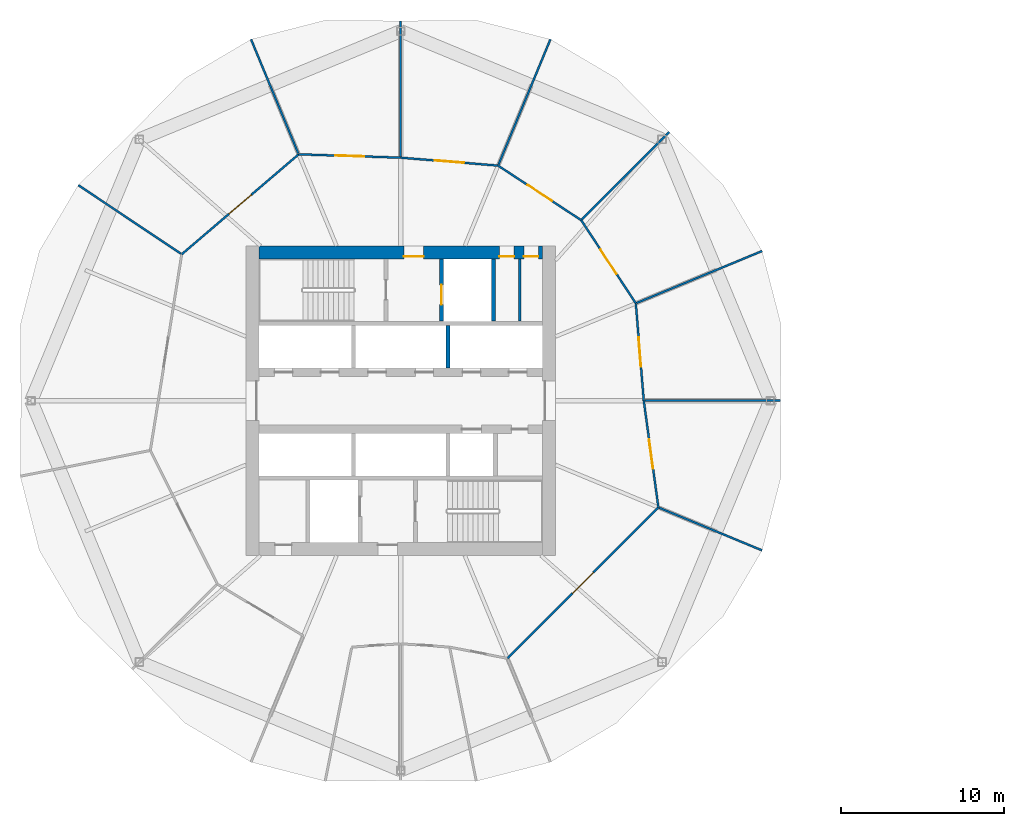
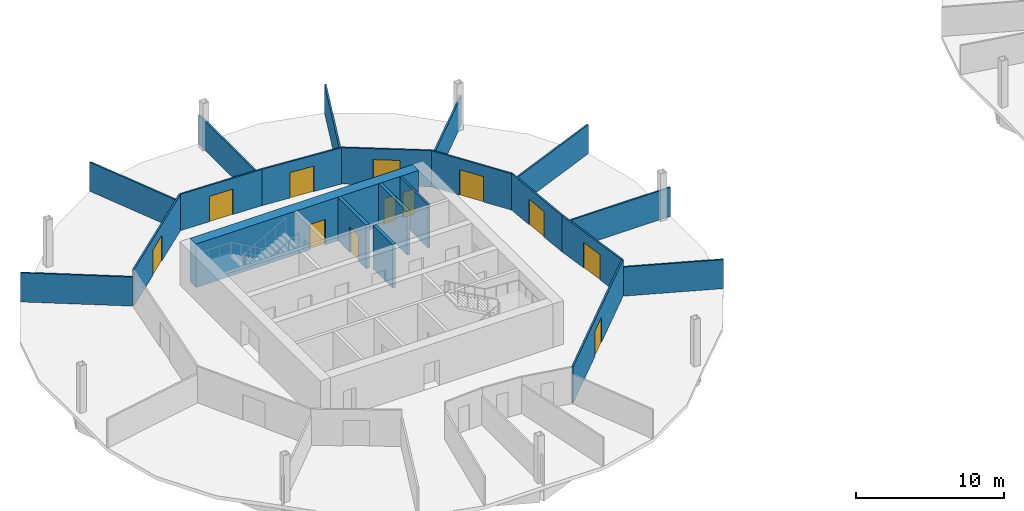
# One storey, part 5 of 9: 21 walls, 12 doors, 12 openings.
"""IFC4 building model written with IfcOpenShell, lengths in metres."""

from ifc_helpers import new_model, si_unit, direction, frame, frame_2d, origin, place, context, subcontext, project, spatial, rectangle, extrude, material, layer, layer_set, type_object, element, fill, save


model = new_model("IFC4")

# Units and contexts
model_context = context("Model", 3, precision=1e-05, world=origin(), true_north=direction((0.0, 1.0)))
body_context = subcontext(model_context, "Body", "Model", "MODEL_VIEW")
ifc_project = project(units=[si_unit("LENGTHUNIT", "METRE"), si_unit("AREAUNIT", "SQUARE_METRE"), si_unit("VOLUMEUNIT", "CUBIC_METRE"), si_unit("PLANEANGLEUNIT", "RADIAN"), si_unit("MASSUNIT", "GRAM", prefix="KILO")], contexts=[model_context])

# Site, building, storey
site_placement = place(None, origin())
site = spatial("IfcSite", under=ifc_project, at=site_placement, CompositionType="ELEMENT")
building_placement = place(site_placement, origin())
building = spatial("IfcBuilding", under=site, at=building_placement, Name="Ogive Gate Towers", CompositionType="ELEMENT")
storey_placement = place(building_placement, frame((0.0, 0.0, 84.0)))
storey = spatial("IfcBuildingStorey", under=building, at=storey_placement, Name="L19", CompositionType="ELEMENT", Elevation=84.0)

# Wall, openings, doors
ifc_material_1 = material(Name="Concrete C60/75", Category="concrete")
ifc_layer_1 = layer(ifc_material_1, 0.800048828125)
ifc_layer_set_1 = layer_set([ifc_layer_1], Name="Core wall 800 mm")
wall_type_1 = type_object("IfcWallType", Name="Core wall 800 mm", PredefinedType="SHEAR", material=ifc_layer_set_1)
wall_1_placement = place(storey_placement, frame((-44.699951171875, 9.10009765625, 0.0), z_axis=(0.0, 0.0, 1.0), x_axis=(1.0, 0.0, 0.0)))
wall_1 = element("IfcWall", 1, at=wall_1_placement, inside=storey, type_object=wall_type_1, Name="T1 L19 Core wall 800 mm", PredefinedType="SHEAR", context=body_context, shape_type="SweptSolid", body=[
    extrude(rectangle(XDim=17.39990234375, YDim=0.800048828125, at=frame_2d((8.699951171875, 0.0))), origin(), (0.0, 0.0, 1.0), 3.60009765625),
])
opening_1_placement = place(wall_1_placement, frame((8.89990234375, 0.0, 0.0)))
opening_1 = element("IfcOpeningElement", 2, at=opening_1_placement, cuts=wall_1, Name="Opening KD-T1-L19-15", PredefinedType="OPENING", context=body_context, shape_type="SweptSolid", body=[
    extrude(rectangle(XDim=1.199951171875, YDim=2.10009765625, at=frame_2d((0.60009765625, 1.050048828125))), frame((0.0, 0.41015625, 0.0), z_axis=(0.0, -1.0, 0.0), x_axis=(1.0, 0.0, 0.0)), (0.0, 0.0, 1.0), 0.820068359375),
])
opening_2_placement = place(wall_1_placement, frame((14.75, 0.0, 0.0)))
opening_2 = element("IfcOpeningElement", 3, at=opening_2_placement, cuts=wall_1, Name="Opening KD-T1-L19-17", PredefinedType="OPENING", context=body_context, shape_type="SweptSolid", body=[
    extrude(rectangle(XDim=0.89990234375, YDim=2.10009765625, at=frame_2d((0.449951171875, 1.050048828125))), frame((0.0, 0.41015625, 0.0), z_axis=(0.0, -1.0, 0.0), x_axis=(1.0, 0.0, 0.0)), (0.0, 0.0, 1.0), 0.820068359375),
])
opening_3_placement = place(wall_1_placement, frame((16.25, 0.0, 0.0)))
opening_3 = element("IfcOpeningElement", 4, at=opening_3_placement, cuts=wall_1, Name="Opening KD-T1-L19-18", PredefinedType="OPENING", context=body_context, shape_type="SweptSolid", body=[
    extrude(rectangle(XDim=0.89990234375, YDim=2.10009765625, at=frame_2d((0.449951171875, 1.050048828125))), frame((0.0, 0.41015625, 0.0), z_axis=(0.0, -1.0, 0.0), x_axis=(1.0, 0.0, 0.0)), (0.0, 0.0, 1.0), 0.820068359375),
])
ifc_material_2 = material(Name="Timber door", Category="wood")
door_type_1 = type_object("IfcDoorType", Name="Core WC door 900 x 2100", OperationType="NOTDEFINED", PredefinedType="DOOR", material=ifc_material_2)
door_1_placement = place(opening_2_placement, origin())
door_1 = element("IfcDoor", 5, at=door_1_placement, inside=storey, type_object=door_type_1, Name="T1 L19 Core door", OperationType="SINGLE_SWING_RIGHT", OverallHeight=2.10009765625, OverallWidth=0.89990234375, PredefinedType="DOOR", context=body_context, shape_type="SweptSolid", body=[
    extrude(rectangle(XDim=0.89990234375, YDim=2.10009765625, at=frame_2d((0.449951171875, 1.050048828125))), frame((0.0, -0.22509765625, 0.0), z_axis=(0.0, -1.0, 0.0), x_axis=(1.0, 0.0, 0.0)), (0.0, 0.0, 1.0), 0.050048828125),
])
fill(opening_2, door_1)
door_2_placement = place(opening_3_placement, origin())
door_2 = element("IfcDoor", 6, at=door_2_placement, inside=storey, type_object=door_type_1, Name="T1 L19 Core door", OperationType="SINGLE_SWING_LEFT", OverallHeight=2.10009765625, OverallWidth=0.89990234375, PredefinedType="DOOR", context=body_context, shape_type="SweptSolid", body=[
    extrude(rectangle(XDim=0.89990234375, YDim=2.10009765625, at=frame_2d((0.449951171875, 1.050048828125))), frame((0.0, -0.22509765625, 0.0), z_axis=(0.0, -1.0, 0.0), x_axis=(1.0, 0.0, 0.0)), (0.0, 0.0, 1.0), 0.050048828125),
])
fill(opening_3, door_2)
ifc_material_3 = material(Name="Steel fire door", Category="steel")
door_type_2 = type_object("IfcDoorType", Name="Core door FD60S 1200 x 2100", OperationType="NOTDEFINED", PredefinedType="DOOR", material=ifc_material_3)
door_3_placement = place(opening_1_placement, origin())
door_3 = element("IfcDoor", 7, at=door_3_placement, inside=storey, type_object=door_type_2, Name="T1 L19 Fire-fighting lobby door", OperationType="SINGLE_SWING_RIGHT", OverallHeight=2.10009765625, OverallWidth=1.199951171875, PredefinedType="DOOR", context=body_context, shape_type="SweptSolid", body=[
    extrude(rectangle(XDim=1.199951171875, YDim=2.10009765625, at=frame_2d((0.60009765625, 1.050048828125))), frame((0.0, -0.22509765625, 0.0), z_axis=(0.0, -1.0, 0.0), x_axis=(1.0, 0.0, 0.0)), (0.0, 0.0, 1.0), 0.050048828125),
])
fill(opening_1, door_3)

# Walls
ifc_material_4 = material(Name="Gypsum board partition")
ifc_layer_2 = layer(ifc_material_4, 0.125)
ifc_layer_set_2 = layer_set([ifc_layer_2], Name="Partition 125")
wall_type_2 = type_object("IfcWallType", Name="Partition 125", PredefinedType="PARTITIONING", material=ifc_layer_set_2)
wall_2_placement = place(storey_placement, frame((-12.700927734375, 0.0, 0.0), z_axis=(0.0, 0.0, 1.0), x_axis=(-1.0, 0.0, 0.0)))
element("IfcWall", 8, at=wall_2_placement, inside=storey, type_object=wall_type_2, Name="Partition T1-L19-001", PredefinedType="PARTITIONING", context=body_context, shape_type="SweptSolid", body=[
    extrude(rectangle(XDim=8.32666015625, YDim=0.125, at=frame_2d((4.163330078125, 0.0))), origin(), (0.0, 0.0, 1.0), 2.39990234375),
])
wall_3_placement = place(storey_placement, frame((-13.826904296875, 9.184326171875, 0.0), z_axis=(0.0, 0.0, 1.0), x_axis=(-0.92388425068, -0.3826720415, 0.0)))
element("IfcWall", 9, at=wall_3_placement, inside=storey, type_object=wall_type_2, Name="Partition T1-L19-002", PredefinedType="PARTITIONING", context=body_context, shape_type="SweptSolid", body=[
    extrude(rectangle(XDim=8.326416015625, YDim=0.125, at=frame_2d((4.1630859375, 0.0))), origin(), (0.0, 0.0, 1.0), 2.39990234375),
])
wall_4_placement = place(storey_placement, frame((-19.525146484375, 16.474853515625, 0.0), z_axis=(0.0, 0.0, 1.0), x_axis=(-0.707106781187, -0.707106781187, 0.0)))
element("IfcWall", 10, at=wall_4_placement, inside=storey, type_object=wall_type_2, Name="Partition T1-L19-003", PredefinedType="PARTITIONING", context=body_context, shape_type="SweptSolid", body=[
    extrude(rectangle(XDim=7.57666015625, YDim=0.125, at=frame_2d((3.788330078125, 0.0))), origin(), (0.0, 0.0, 1.0), 2.39990234375),
])
wall_5_placement = place(storey_placement, frame((-26.815673828125, 22.173095703125, 0.0), z_axis=(0.0, 0.0, 1.0), x_axis=(-0.3826720415, -0.92388425068, 0.0)))
element("IfcWall", 11, at=wall_5_placement, inside=storey, type_object=wall_type_2, Name="Partition T1-L19-004", PredefinedType="PARTITIONING", context=body_context, shape_type="SweptSolid", body=[
    extrude(rectangle(XDim=8.326416015625, YDim=0.125, at=frame_2d((4.1630859375, 0.0))), origin(), (0.0, 0.0, 1.0), 2.39990234375),
])
wall_6_placement = place(storey_placement, frame((-36.0, 23.299072265625, 0.0), z_axis=(0.0, 0.0, 1.0), x_axis=(0.0, -1.0, 0.0)))
element("IfcWall", 12, at=wall_6_placement, inside=storey, type_object=wall_type_2, Name="Partition T1-L19-005", PredefinedType="PARTITIONING", context=body_context, shape_type="SweptSolid", body=[
    extrude(rectangle(XDim=8.32666015625, YDim=0.125, at=frame_2d((4.163330078125, 0.0))), origin(), (0.0, 0.0, 1.0), 2.39990234375),
])
for number, where, z_axis, x_axis, name in (
    (13, (-45.184326171875, 22.173095703125, 0.0), (0.0, 0.0, 1.0), (0.382685713945, -0.923878587447, 0.0), "Partition T1-L19-006"),
    (14, (-55.784423828125, 13.228515625, 0.0), (0.0, 0.0, 1.0), (0.831300960788, -0.555822554951, 0.0), "Partition T1-L19-007"),
):
    element("IfcWall", number, at=place(storey_placement, frame(where, z_axis=z_axis, x_axis=x_axis)), inside=storey, type_object=wall_type_2, Name=name, PredefinedType="PARTITIONING", context=body_context, shape_type="SweptSolid", body=[
        extrude(rectangle(XDim=7.576416015625, YDim=0.125, at=frame_2d((3.7880859375, 0.0))), origin(), (0.0, 0.0, 1.0), 2.39990234375),
    ])
wall_7_placement = place(storey_placement, frame((-13.826904296875, -9.184326171875, 0.0), z_axis=(0.0, 0.0, 1.0), x_axis=(-0.923884324115, 0.382671864206, 0.0)))
element("IfcWall", 15, at=wall_7_placement, inside=storey, type_object=wall_type_2, Name="Partition T1-L19-015", PredefinedType="PARTITIONING", context=body_context, shape_type="SweptSolid", body=[
    extrude(rectangle(XDim=6.826416015625, YDim=0.125, at=frame_2d((3.4130859375, 0.0))), origin(), (0.0, 0.0, 1.0), 2.39990234375),
])

# Wall, opening, door
wall_8_placement = place(storey_placement, frame((-29.451904296875, -15.80859375, 0.0), z_axis=(0.0, 0.0, 1.0), x_axis=(0.707106781187, 0.707106781187, 0.0)))
wall_8 = element("IfcWall", 16, at=wall_8_placement, inside=storey, type_object=wall_type_2, Name="Partition T1-L19-019", PredefinedType="PARTITIONING", context=body_context, shape_type="SweptSolid", body=[
    extrude(rectangle(XDim=13.096435546875, YDim=0.125, at=frame_2d((6.54833984375, 0.0))), origin(), (0.0, 0.0, 1.0), 3.0),
])
opening_4_placement = place(wall_8_placement, frame((5.64794921875, 0.0, 0.0)))
opening_4 = element("IfcOpeningElement", 17, at=opening_4_placement, cuts=wall_8, Name="Opening T1-L19-D04", PredefinedType="OPENING", context=body_context, shape_type="SweptSolid", body=[
    extrude(rectangle(XDim=1.800048828125, YDim=2.10009765625, at=frame_2d((0.89990234375, 1.050048828125))), frame((0.0, 0.072509765625, 0.0), z_axis=(0.0, -1.0, 0.0), x_axis=(1.0, 0.0, 0.0)), (0.0, 0.0, 1.0), 0.14501953125),
])
door_type_3 = type_object("IfcDoorType", Name="Door pair 1800", OperationType="NOTDEFINED", PredefinedType="DOOR", material=ifc_material_2)
door_4_placement = place(opening_4_placement, origin())
door_4 = element("IfcDoor", 18, at=door_4_placement, inside=storey, type_object=door_type_3, Name="Door T1-L19-D04", OperationType="DOUBLE_DOOR_DOUBLE_SWING", OverallHeight=2.10009765625, OverallWidth=1.800048828125, PredefinedType="DOOR", context=body_context, shape_type="SweptSolid", body=[
    extrude(rectangle(XDim=1.800048828125, YDim=2.10009765625, at=frame_2d((0.89990234375, 1.050048828125))), frame((0.0, 0.02490234375, 0.0), z_axis=(0.0, -1.0, 0.0), x_axis=(1.0, 0.0, 0.0)), (0.0, 0.0, 1.0), 0.050048828125),
])
fill(opening_4, door_4)

wall_9_placement = place(storey_placement, frame((-20.19140625, -6.548095703125, 0.0), z_axis=(0.0, 0.0, 1.0), x_axis=(-0.135968646616, 0.990713140691, 0.0)))
wall_9 = element("IfcWall", 19, at=wall_9_placement, inside=storey, type_object=wall_type_2, Name="Partition T1-L19-020", PredefinedType="PARTITIONING", context=body_context, shape_type="SweptSolid", body=[
    extrude(rectangle(XDim=6.609375, YDim=0.125, at=frame_2d((3.3046875, 0.0))), origin(), (0.0, 0.0, 1.0), 3.0),
])
opening_5_placement = place(wall_9_placement, frame((2.405029296875, 0.0, 0.0)))
opening_5 = element("IfcOpeningElement", 20, at=opening_5_placement, cuts=wall_9, Name="Opening T1-L19-D05", PredefinedType="OPENING", context=body_context, shape_type="SweptSolid", body=[
    extrude(rectangle(XDim=1.800048828125, YDim=2.10009765625, at=frame_2d((0.89990234375, 1.050048828125))), frame((0.0, 0.072509765625, 0.0), z_axis=(0.0, -1.0, 0.0), x_axis=(1.0, 0.0, 0.0)), (0.0, 0.0, 1.0), 0.14501953125),
])
door_5_placement = place(opening_5_placement, origin())
door_5 = element("IfcDoor", 21, at=door_5_placement, inside=storey, type_object=door_type_3, Name="Door T1-L19-D05", OperationType="DOUBLE_DOOR_DOUBLE_SWING", OverallHeight=2.10009765625, OverallWidth=1.800048828125, PredefinedType="DOOR", context=body_context, shape_type="SweptSolid", body=[
    extrude(rectangle(XDim=1.800048828125, YDim=2.10009765625, at=frame_2d((0.89990234375, 1.050048828125))), frame((0.0, 0.02490234375, 0.0), z_axis=(0.0, -1.0, 0.0), x_axis=(1.0, 0.0, 0.0)), (0.0, 0.0, 1.0), 0.050048828125),
])
fill(opening_5, door_5)

wall_10_placement = place(storey_placement, frame((-21.090087890625, 0.0, 0.0), z_axis=(0.0, 0.0, 1.0), x_axis=(-0.081299252747, 0.99668973683, 0.0)))
wall_10 = element("IfcWall", 22, at=wall_10_placement, inside=storey, type_object=wall_type_2, Name="Partition T1-L19-021", PredefinedType="PARTITIONING", context=body_context, shape_type="SweptSolid", body=[
    extrude(rectangle(XDim=5.993896484375, YDim=0.125, at=frame_2d((2.9970703125, 0.0))), origin(), (0.0, 0.0, 1.0), 3.0),
])
opening_6_placement = place(wall_10_placement, frame((2.096923828125, 0.0, 0.0)))
opening_6 = element("IfcOpeningElement", 23, at=opening_6_placement, cuts=wall_10, Name="Opening T1-L19-D06", PredefinedType="OPENING", context=body_context, shape_type="SweptSolid", body=[
    extrude(rectangle(XDim=1.800048828125, YDim=2.10009765625, at=frame_2d((0.89990234375, 1.050048828125))), frame((0.0, 0.072509765625, 0.0), z_axis=(0.0, -1.0, 0.0), x_axis=(1.0, 0.0, 0.0)), (0.0, 0.0, 1.0), 0.14501953125),
])
door_6_placement = place(opening_6_placement, origin())
door_6 = element("IfcDoor", 24, at=door_6_placement, inside=storey, type_object=door_type_3, Name="Door T1-L19-D06", OperationType="DOUBLE_DOOR_DOUBLE_SWING", OverallHeight=2.10009765625, OverallWidth=1.800048828125, PredefinedType="DOOR", context=body_context, shape_type="SweptSolid", body=[
    extrude(rectangle(XDim=1.800048828125, YDim=2.10009765625, at=frame_2d((0.89990234375, 1.050048828125))), frame((0.0, 0.02490234375, 0.0), z_axis=(0.0, -1.0, 0.0), x_axis=(1.0, 0.0, 0.0)), (0.0, 0.0, 1.0), 0.050048828125),
])
fill(opening_6, door_6)

wall_11_placement = place(storey_placement, frame((-21.577392578125, 5.97412109375, 0.0), z_axis=(0.0, 0.0, 1.0), x_axis=(-0.549007787117, 0.835817234618, 0.0)))
wall_11 = element("IfcWall", 25, at=wall_11_placement, inside=storey, type_object=wall_type_2, Name="Partition T1-L19-022", PredefinedType="PARTITIONING", context=body_context, shape_type="SweptSolid", body=[
    extrude(rectangle(XDim=6.100830078125, YDim=0.125, at=frame_2d((3.05029296875, 0.0))), origin(), (0.0, 0.0, 1.0), 3.0),
])
opening_7_placement = place(wall_11_placement, frame((2.14990234375, 0.0, 0.0)))
opening_7 = element("IfcOpeningElement", 26, at=opening_7_placement, cuts=wall_11, Name="Opening T1-L19-D07", PredefinedType="OPENING", context=body_context, shape_type="SweptSolid", body=[
    extrude(rectangle(XDim=1.800048828125, YDim=2.10009765625, at=frame_2d((0.89990234375, 1.050048828125))), frame((0.0, 0.072509765625, 0.0), z_axis=(0.0, -1.0, 0.0), x_axis=(1.0, 0.0, 0.0)), (0.0, 0.0, 1.0), 0.14501953125),
])
door_7_placement = place(opening_7_placement, origin())
door_7 = element("IfcDoor", 27, at=door_7_placement, inside=storey, type_object=door_type_3, Name="Door T1-L19-D07", OperationType="DOUBLE_DOOR_DOUBLE_SWING", OverallHeight=2.10009765625, OverallWidth=1.800048828125, PredefinedType="DOOR", context=body_context, shape_type="SweptSolid", body=[
    extrude(rectangle(XDim=1.800048828125, YDim=2.10009765625, at=frame_2d((0.89990234375, 1.050048828125))), frame((0.0, 0.02490234375, 0.0), z_axis=(0.0, -1.0, 0.0), x_axis=(1.0, 0.0, 0.0)), (0.0, 0.0, 1.0), 0.050048828125),
])
fill(opening_7, door_7)

wall_12_placement = place(storey_placement, frame((-24.9267578125, 11.0732421875, 0.0), z_axis=(0.0, 0.0, 1.0), x_axis=(-0.835817234618, 0.549007787117, 0.0)))
wall_12 = element("IfcWall", 28, at=wall_12_placement, inside=storey, type_object=wall_type_2, Name="Partition T1-L19-023", PredefinedType="PARTITIONING", context=body_context, shape_type="SweptSolid", body=[
    extrude(rectangle(XDim=6.100830078125, YDim=0.125, at=frame_2d((3.05029296875, 0.0))), origin(), (0.0, 0.0, 1.0), 3.0),
])
opening_8_placement = place(wall_12_placement, frame((2.14990234375, 0.0, 0.0)))
opening_8 = element("IfcOpeningElement", 29, at=opening_8_placement, cuts=wall_12, Name="Opening T1-L19-D08", PredefinedType="OPENING", context=body_context, shape_type="SweptSolid", body=[
    extrude(rectangle(XDim=1.800048828125, YDim=2.10009765625, at=frame_2d((0.89990234375, 1.050048828125))), frame((0.0, 0.072509765625, 0.0), z_axis=(0.0, -1.0, 0.0), x_axis=(1.0, 0.0, 0.0)), (0.0, 0.0, 1.0), 0.14501953125),
])
door_8_placement = place(opening_8_placement, origin())
door_8 = element("IfcDoor", 30, at=door_8_placement, inside=storey, type_object=door_type_3, Name="Door T1-L19-D08", OperationType="DOUBLE_DOOR_DOUBLE_SWING", OverallHeight=2.10009765625, OverallWidth=1.800048828125, PredefinedType="DOOR", context=body_context, shape_type="SweptSolid", body=[
    extrude(rectangle(XDim=1.800048828125, YDim=2.10009765625, at=frame_2d((0.89990234375, 1.050048828125))), frame((0.0, 0.02490234375, 0.0), z_axis=(0.0, -1.0, 0.0), x_axis=(1.0, 0.0, 0.0)), (0.0, 0.0, 1.0), 0.050048828125),
])
fill(opening_8, door_8)

wall_13_placement = place(storey_placement, frame((-30.02587890625, 14.422607421875, 0.0), z_axis=(0.0, 0.0, 1.0), x_axis=(-0.99668973683, 0.081299252747, 0.0)))
wall_13 = element("IfcWall", 31, at=wall_13_placement, inside=storey, type_object=wall_type_2, Name="Partition T1-L19-024", PredefinedType="PARTITIONING", context=body_context, shape_type="SweptSolid", body=[
    extrude(rectangle(XDim=5.993896484375, YDim=0.125, at=frame_2d((2.9970703125, 0.0))), origin(), (0.0, 0.0, 1.0), 3.0),
])
opening_9_placement = place(wall_13_placement, frame((2.096923828125, 0.0, 0.0)))
opening_9 = element("IfcOpeningElement", 32, at=opening_9_placement, cuts=wall_13, Name="Opening T1-L19-D09", PredefinedType="OPENING", context=body_context, shape_type="SweptSolid", body=[
    extrude(rectangle(XDim=1.800048828125, YDim=2.10009765625, at=frame_2d((0.89990234375, 1.050048828125))), frame((0.0, 0.072509765625, 0.0), z_axis=(0.0, -1.0, 0.0), x_axis=(1.0, 0.0, 0.0)), (0.0, 0.0, 1.0), 0.14501953125),
])
door_9_placement = place(opening_9_placement, origin())
door_9 = element("IfcDoor", 33, at=door_9_placement, inside=storey, type_object=door_type_3, Name="Door T1-L19-D09", OperationType="DOUBLE_DOOR_DOUBLE_SWING", OverallHeight=2.10009765625, OverallWidth=1.800048828125, PredefinedType="DOOR", context=body_context, shape_type="SweptSolid", body=[
    extrude(rectangle(XDim=1.800048828125, YDim=2.10009765625, at=frame_2d((0.89990234375, 1.050048828125))), frame((0.0, 0.02490234375, 0.0), z_axis=(0.0, -1.0, 0.0), x_axis=(1.0, 0.0, 0.0)), (0.0, 0.0, 1.0), 0.050048828125),
])
fill(opening_9, door_9)

wall_14_placement = place(storey_placement, frame((-36.0, 14.909912109375, 0.0), z_axis=(0.0, 0.0, 1.0), x_axis=(-0.999461435371, 0.032815228254, 0.0)))
wall_14 = element("IfcWall", 34, at=wall_14_placement, inside=storey, type_object=wall_type_2, Name="Partition T1-L19-025", PredefinedType="PARTITIONING", context=body_context, shape_type="SweptSolid", body=[
    extrude(rectangle(XDim=6.264404296875, YDim=0.125, at=frame_2d((3.13232421875, 0.0))), origin(), (0.0, 0.0, 1.0), 3.0),
])
opening_10_placement = place(wall_14_placement, frame((2.23193359375, 0.0, 0.0)))
opening_10 = element("IfcOpeningElement", 35, at=opening_10_placement, cuts=wall_14, Name="Opening T1-L19-D10", PredefinedType="OPENING", context=body_context, shape_type="SweptSolid", body=[
    extrude(rectangle(XDim=1.800048828125, YDim=2.10009765625, at=frame_2d((0.89990234375, 1.050048828125))), frame((0.0, 0.072509765625, 0.0), z_axis=(0.0, -1.0, 0.0), x_axis=(1.0, 0.0, 0.0)), (0.0, 0.0, 1.0), 0.14501953125),
])
door_10_placement = place(opening_10_placement, origin())
door_10 = element("IfcDoor", 36, at=door_10_placement, inside=storey, type_object=door_type_3, Name="Door T1-L19-D10", OperationType="DOUBLE_DOOR_DOUBLE_SWING", OverallHeight=2.10009765625, OverallWidth=1.800048828125, PredefinedType="DOOR", context=body_context, shape_type="SweptSolid", body=[
    extrude(rectangle(XDim=1.800048828125, YDim=2.10009765625, at=frame_2d((0.89990234375, 1.050048828125))), frame((0.0, 0.02490234375, 0.0), z_axis=(0.0, -1.0, 0.0), x_axis=(1.0, 0.0, 0.0)), (0.0, 0.0, 1.0), 0.050048828125),
])
fill(opening_10, door_10)

wall_15_placement = place(storey_placement, frame((-42.260986328125, 15.115478515625, 0.0), z_axis=(0.0, 0.0, 1.0), x_axis=(-0.760070439114, -0.649840694005, 0.0)))
wall_15 = element("IfcWall", 37, at=wall_15_placement, inside=storey, type_object=wall_type_2, Name="Partition T1-L19-026", PredefinedType="PARTITIONING", context=body_context, shape_type="SweptSolid", body=[
    extrude(rectangle(XDim=9.4375, YDim=0.125, at=frame_2d((4.71875, 0.0))), origin(), (0.0, 0.0, 1.0), 3.0),
])
opening_11_placement = place(wall_15_placement, frame((3.819091796875, 0.0, 0.0)))
opening_11 = element("IfcOpeningElement", 38, at=opening_11_placement, cuts=wall_15, Name="Opening T1-L19-D11", PredefinedType="OPENING", context=body_context, shape_type="SweptSolid", body=[
    extrude(rectangle(XDim=1.800048828125, YDim=2.10009765625, at=frame_2d((0.89990234375, 1.050048828125))), frame((0.0, 0.072509765625, 0.0), z_axis=(0.0, -1.0, 0.0), x_axis=(1.0, 0.0, 0.0)), (0.0, 0.0, 1.0), 0.14501953125),
])
door_11_placement = place(opening_11_placement, origin())
door_11 = element("IfcDoor", 39, at=door_11_placement, inside=storey, type_object=door_type_3, Name="Door T1-L19-D11", OperationType="DOUBLE_DOOR_DOUBLE_SWING", OverallHeight=2.10009765625, OverallWidth=1.800048828125, PredefinedType="DOOR", context=body_context, shape_type="SweptSolid", body=[
    extrude(rectangle(XDim=1.800048828125, YDim=2.10009765625, at=frame_2d((0.89990234375, 1.050048828125))), frame((0.0, 0.02490234375, 0.0), z_axis=(0.0, -1.0, 0.0), x_axis=(1.0, 0.0, 0.0)), (0.0, 0.0, 1.0), 0.050048828125),
])
fill(opening_11, door_11)

# Wall
ifc_layer_3 = layer(ifc_material_4, 0.14990234375)
ifc_layer_set_3 = layer_set([ifc_layer_3], Name="Room partition 150 mm")
wall_type_3 = type_object("IfcWallType", Name="Room partition 150 mm", PredefinedType="PARTITIONING", material=ifc_layer_set_3)
wall_16_placement = place(storey_placement, frame((-28.699951171875, 4.875, 0.0), z_axis=(0.0, 0.0, 1.0), x_axis=(0.0, 1.0, 0.0)))
element("IfcWall", 40, at=wall_16_placement, inside=storey, type_object=wall_type_3, Name="T1 L19 Room partition 150 mm", PredefinedType="PARTITIONING", context=body_context, shape_type="SweptSolid", body=[
    extrude(rectangle(XDim=3.824951171875, YDim=0.14990234375, at=frame_2d((1.91259765625, 0.0))), origin(), (0.0, 0.0, 1.0), 3.60009765625),
])

# Wall, opening, door
ifc_layer_4 = layer(ifc_material_1, 0.25)
ifc_layer_set_4 = layer_set([ifc_layer_4], Name="Shaft wall 250 mm")
wall_type_4 = type_object("IfcWallType", Name="Shaft wall 250 mm", PredefinedType="SHEAR", material=ifc_layer_set_4)
wall_17_placement = place(storey_placement, frame((-33.5, 4.875, 0.0), z_axis=(0.0, 0.0, 1.0), x_axis=(0.0, 1.0, 0.0)))
wall_17 = element("IfcWall", 41, at=wall_17_placement, inside=storey, type_object=wall_type_4, Name="T1 L19 Shaft wall 250 mm", PredefinedType="SHEAR", context=body_context, shape_type="SweptSolid", body=[
    extrude(rectangle(XDim=3.824951171875, YDim=0.25, at=frame_2d((1.91259765625, 0.0))), origin(), (0.0, 0.0, 1.0), 3.60009765625),
])
opening_12_placement = place(wall_17_placement, frame((1.02490234375, 0.0, 0.0)))
opening_12 = element("IfcOpeningElement", 42, at=opening_12_placement, cuts=wall_17, Name="Opening LD-T1-L19-10", PredefinedType="OPENING", context=body_context, shape_type="SweptSolid", body=[
    extrude(rectangle(XDim=1.199951171875, YDim=2.10009765625, at=frame_2d((0.60009765625, 1.050048828125))), frame((0.0, 0.135009765625, 0.0), z_axis=(0.0, -1.0, 0.0), x_axis=(1.0, 0.0, 0.0)), (0.0, 0.0, 1.0), 0.27001953125),
])
ifc_material_5 = material(Name="Stainless steel landing door", Category="steel")
door_type_4 = type_object("IfcDoorType", Name="Landing door 1200 x 2100", OperationType="SLIDING_TO_LEFT", PredefinedType="DOOR", material=ifc_material_5)
door_12_placement = place(opening_12_placement, origin())
door_12 = element("IfcDoor", 43, at=door_12_placement, inside=storey, type_object=door_type_4, Name="T1 L19 Lift landing door FF1", OperationType="SLIDING_TO_LEFT", OverallHeight=2.10009765625, OverallWidth=1.199951171875, PredefinedType="DOOR", context=body_context, shape_type="SweptSolid", body=[
    extrude(rectangle(XDim=1.199951171875, YDim=2.10009765625, at=frame_2d((0.60009765625, 1.050048828125))), frame((0.0, 0.02490234375, 0.0), z_axis=(0.0, -1.0, 0.0), x_axis=(1.0, 0.0, 0.0)), (0.0, 0.0, 1.0), 0.050048828125),
])
fill(opening_12, door_12)

# Walls
wall_18_placement = place(storey_placement, frame((-33.10009765625, 2.0, 0.0), z_axis=(0.0, 0.0, 1.0), x_axis=(0.0, 1.0, 0.0)))
element("IfcWall", 44, at=wall_18_placement, inside=storey, type_object=wall_type_4, Name="T1 L19 Shaft wall 250 mm", PredefinedType="SHEAR", context=body_context, shape_type="SweptSolid", body=[
    extrude(rectangle(XDim=2.625, YDim=0.25, at=frame_2d((1.3125, 0.0))), origin(), (0.0, 0.0, 1.0), 3.60009765625),
])
wall_19_placement = place(storey_placement, frame((-30.300048828125, 4.875, 0.0), z_axis=(0.0, 0.0, 1.0), x_axis=(0.0, 1.0, 0.0)))
element("IfcWall", 45, at=wall_19_placement, inside=storey, type_object=wall_type_4, Name="T1 L19 Shaft wall 250 mm", PredefinedType="SHEAR", context=body_context, shape_type="SweptSolid", body=[
    extrude(rectangle(XDim=3.824951171875, YDim=0.25, at=frame_2d((1.91259765625, 0.0))), origin(), (0.0, 0.0, 1.0), 3.60009765625),
])

save(model, "model.ifc")
